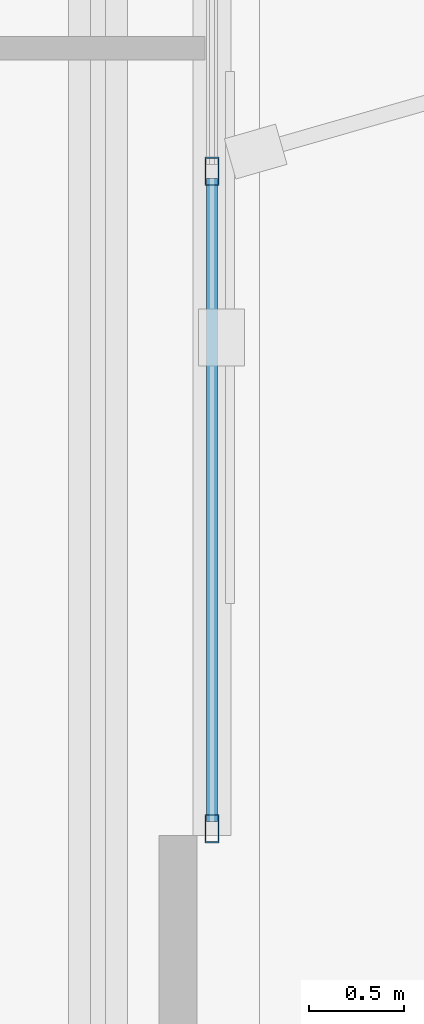
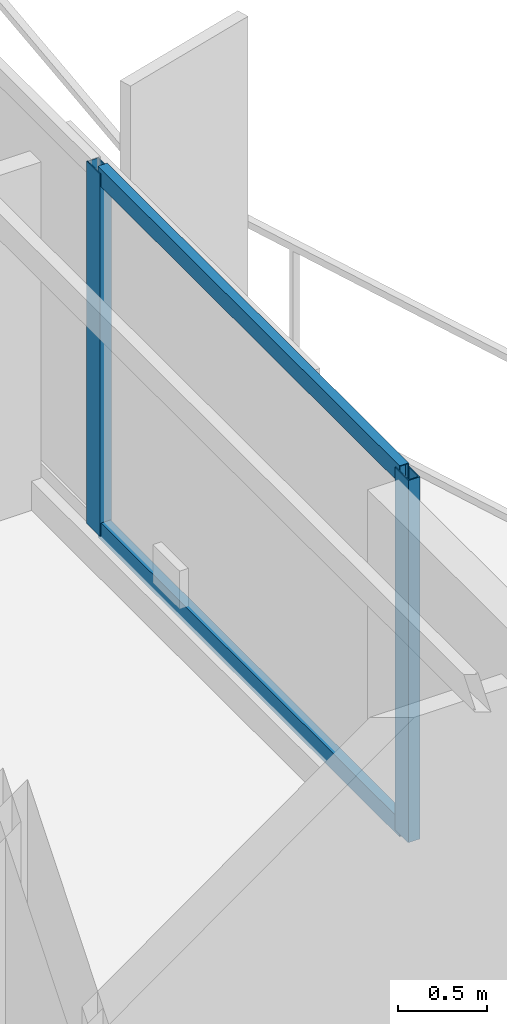
# One storey, part 7 of 19: 4 members, 1 element without a shape of its own.
"""IFC4 building model written with IfcOpenShell, lengths in metres."""

from ifc_helpers import new_model, si_unit, direction, frame, origin, origin_2d, place, context, subcontext, project, spatial, hollow_rectangle, extrude, material, layer, layer_set, material_profile, profile_set, type_object, element, aggregate, save


model = new_model("IFC4")

# Units and contexts
model_context = context("Model", 3, precision=1e-05, world=origin(), true_north=direction((0.0, 1.0)))
body_context = subcontext(model_context, "Body", "Model", "MODEL_VIEW")
ifc_project = project(units=[si_unit("LENGTHUNIT", "METRE"), si_unit("AREAUNIT", "SQUARE_METRE"), si_unit("VOLUMEUNIT", "CUBIC_METRE"), si_unit("PLANEANGLEUNIT", "RADIAN"), si_unit("MASSUNIT", "GRAM", prefix="KILO")], contexts=[model_context])

# Site, building, storey
site_placement = place(None, origin())
site = spatial("IfcSite", under=ifc_project, at=site_placement, CompositionType="ELEMENT")
building_placement = place(site_placement, origin())
building = spatial("IfcBuilding", under=site, at=building_placement, Name="Mersakhor Tower and Convention Hall", CompositionType="ELEMENT")
storey_placement = place(building_placement, frame((0.0, 0.0, 131.10009765625)))
storey = spatial("IfcBuildingStorey", under=building, at=storey_placement, Name="L36", CompositionType="ELEMENT", Elevation=131.10009765625)

# Curtain wall, members
ifc_material_1 = material(Name="Dark solar low-E aluminium curtain wall", Category="aluminium")
ifc_layer = layer(ifc_material_1, 0.169921875)
ifc_layer_set = layer_set([ifc_layer], Name="Dark solar low-E aluminium curtain wall")
curtain_wall_type = type_object("IfcCurtainWallType", Name="CW-SYS-02", PredefinedType="USERDEFINED", material=ifc_layer_set)
curtain_wall_placement = place(storey_placement, origin())
curtain_wall = element("IfcCurtainWall", 1, at=curtain_wall_placement, inside=storey, type_object=curtain_wall_type, Name="L36 Dark-Glass Curtain Wall F2-B2", ObjectType="CURTAIN WALL", PredefinedType="USERDEFINED")
ifc_material_2 = material(Name="Anodised aluminium EN AW-6063 T6", Category="aluminium")
ifc_material_profile_1 = material_profile(ifc_material_2, hollow_rectangle(XDim=0.074951171875, YDim=0.14990234375, WallThickness=0.00634765625, at=origin_2d()), Name="RHS 150x75x6.3")
ifc_profile_set_1 = profile_set([ifc_material_profile_1], Name="Anodised aluminium EN AW-6063 T6")
member_type_1 = type_object("IfcMemberType", Name="CWM-150x75", PredefinedType="MULLION", material=ifc_profile_set_1)
member_1_placement = place(storey_placement, frame((42.21923828125, 25.00244140625, 0.199951171875), z_axis=(0.0, 0.0, 1.0), x_axis=(1.0, 0.0, 0.0)))
member_1 = element("IfcMember", 2, at=member_1_placement, type_object=member_type_1, Name="CW-02 mullion 3", PredefinedType="MULLION", context=body_context, shape_type="SweptSolid", body=[
    extrude(hollow_rectangle(XDim=0.074951171875, YDim=0.14990234375, WallThickness=0.00634765625, at=origin_2d()), origin(), (0.0, 0.0, 1.0), 2.47998046875),
])
member_2_placement = place(storey_placement, frame((42.21923828125, 21.54443359375, 0.199951171875), z_axis=(0.0, 0.0, 1.0), x_axis=(1.0, 0.0, 0.0)))
member_2 = element("IfcMember", 3, at=member_2_placement, type_object=member_type_1, Name="CW-02 mullion 4", PredefinedType="MULLION", context=body_context, shape_type="SweptSolid", body=[
    extrude(hollow_rectangle(XDim=0.074951171875, YDim=0.14990234375, WallThickness=0.00634765625, at=origin_2d()), origin(), (0.0, 0.0, 1.0), 2.47998046875),
])
ifc_material_3 = material(Name="Anodised aluminium EN AW-6063 T6", Category="aluminium")
ifc_material_profile_2 = material_profile(ifc_material_3, hollow_rectangle(XDim=0.06005859375, YDim=0.1201171875, WallThickness=0.0048828125, at=origin_2d()), Name="RHS 120x60x5")
ifc_profile_set_2 = profile_set([ifc_material_profile_2], Name="Anodised aluminium EN AW-6063 T6")
member_type_2 = type_object("IfcMemberType", Name="CWT-120x60", PredefinedType="USERDEFINED", material=ifc_profile_set_2)
member_3_placement = place(storey_placement, frame((42.21923828125, 24.96484375, 0.22998046875), z_axis=(0.0, -1.0, 0.0), x_axis=(1.0, 0.0, 0.0)))
member_3 = element("IfcMember", 4, at=member_3_placement, type_object=member_type_2, Name="CW-02 transom 3.1", ObjectType="TRANSOM", PredefinedType="USERDEFINED", context=body_context, shape_type="SweptSolid", body=[
    extrude(hollow_rectangle(XDim=0.06005859375, YDim=0.1201171875, WallThickness=0.0048828125, at=origin_2d()), origin(), (0.0, 0.0, 1.0), 3.3828125),
])
member_4_placement = place(storey_placement, frame((42.21923828125, 24.96484375, 2.64990234375), z_axis=(0.0, -1.0, 0.0), x_axis=(1.0, 0.0, 0.0)))
member_4 = element("IfcMember", 5, at=member_4_placement, type_object=member_type_2, Name="CW-02 transom 3.2", ObjectType="TRANSOM", PredefinedType="USERDEFINED", context=body_context, shape_type="SweptSolid", body=[
    extrude(hollow_rectangle(XDim=0.06005859375, YDim=0.1201171875, WallThickness=0.0048828125, at=origin_2d()), origin(), (0.0, 0.0, 1.0), 3.3828125),
])
aggregate(curtain_wall, [member_1, member_2, member_3, member_4])

save(model, "model.ifc")
